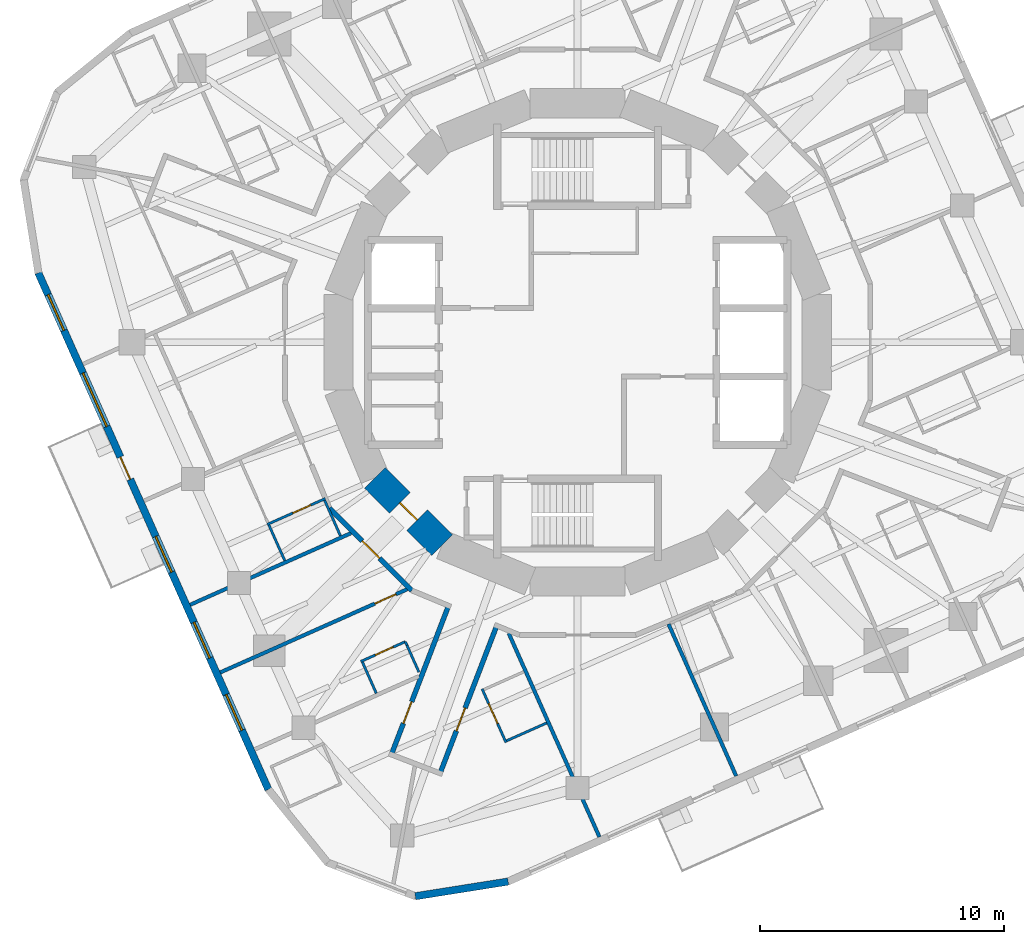
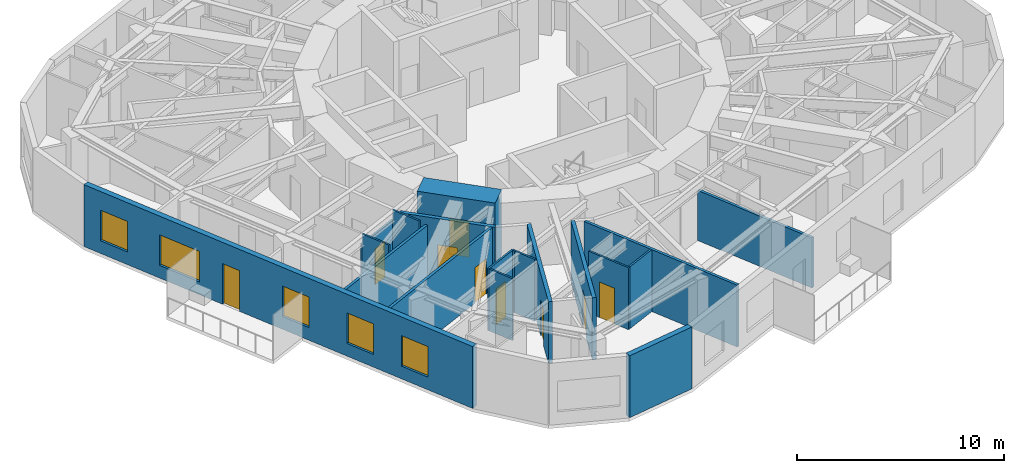
# One storey, part 4 of 12: 19 walls, 9 doors, 5 windows, 14 openings.
"""IFC4 building model written with IfcOpenShell, lengths in metres."""

from ifc_helpers import new_model, si_unit, direction, frame, frame_2d, origin, place, context, subcontext, project, spatial, rectangle, extrude, material, layer, layer_set, type_object, element, fill, save


model = new_model("IFC4")

# Units and contexts
model_context = context("Model", 3, precision=1e-05, world=origin(), true_north=direction((0.0, 1.0)))
body_context = subcontext(model_context, "Body", "Model", "MODEL_VIEW")
ifc_project = project(units=[si_unit("LENGTHUNIT", "METRE"), si_unit("AREAUNIT", "SQUARE_METRE"), si_unit("VOLUMEUNIT", "CUBIC_METRE"), si_unit("PLANEANGLEUNIT", "RADIAN"), si_unit("MASSUNIT", "GRAM", prefix="KILO")], contexts=[model_context])

# Site, building, storey
site_placement = place(None, origin())
site = spatial("IfcSite", under=ifc_project, at=site_placement, CompositionType="ELEMENT")
building_placement = place(site_placement, origin())
building = spatial("IfcBuilding", under=site, at=building_placement, Name="Nakasero Lantern House", CompositionType="ELEMENT")
storey_placement = place(building_placement, frame((0.0, 0.0, 213.25)))
storey = spatial("IfcBuildingStorey", under=building, at=storey_placement, Name="L52", CompositionType="ELEMENT", Elevation=213.25)

# Wall, opening, door
ifc_material_1 = material(Name="Concrete C50/60", Category="concrete")
ifc_layer_1 = layer(ifc_material_1, 1.199951171875)
ifc_layer_set_1 = layer_set([ifc_layer_1], Name="Core wall 1200")
wall_type_1 = type_object("IfcWallType", Name="Core wall 1200", PredefinedType="SHEAR", material=ifc_layer_set_1)
wall_1_placement = place(storey_placement, frame((-8.314697265625, -5.5556640625, 0.0), z_axis=(0.0, 0.0, 1.0), x_axis=(0.707106781187, -0.707106781187, 0.0)))
wall_1 = element("IfcWall", 1, at=wall_1_placement, inside=storey, type_object=wall_type_1, Name="Core wall L52 facet 10", PredefinedType="SHEAR", context=body_context, shape_type="SweptSolid", body=[
    extrude(rectangle(XDim=3.90185546875, YDim=1.199951171875, at=frame_2d((1.950927734375, 0.0))), origin(), (0.0, 0.0, 1.0), 3.85009765625),
])
opening_1_placement = place(wall_1_placement, frame((1.450927734375, 0.0, 0.0)))
opening_1 = element("IfcOpeningElement", 2, at=opening_1_placement, cuts=wall_1, Name="Opening D05", PredefinedType="OPENING", context=body_context, shape_type="SweptSolid", body=[
    extrude(rectangle(XDim=1.0, YDim=2.10009765625, at=frame_2d((0.5, 1.050048828125))), frame((0.0, 0.619873046875, 0.0), z_axis=(0.0, -1.0, 0.0), x_axis=(1.0, 0.0, 0.0)), (0.0, 0.0, 1.0), 1.239990234375),
])
ifc_material_2 = material(Name="Timber C24", Category="wood")
door_type_1 = type_object("IfcDoorType", Name="Core door FD60S 1000", OperationType="SINGLE_SWING_LEFT", PredefinedType="DOOR", material=ifc_material_2)
door_1_placement = place(opening_1_placement, origin())
door_1 = element("IfcDoor", 3, at=door_1_placement, inside=storey, type_object=door_type_1, Name="Door L52 D-CORE10", OperationType="SINGLE_SWING_LEFT", OverallHeight=2.10009765625, OverallWidth=1.0, PredefinedType="DOOR", context=body_context, shape_type="SweptSolid", body=[
    extrude(rectangle(XDim=1.0, YDim=2.10009765625, at=frame_2d((0.5, 1.050048828125))), frame((0.0, 0.02490234375, 0.0), z_axis=(0.0, -1.0, 0.0), x_axis=(1.0, 0.0, 0.0)), (0.0, 0.0, 1.0), 0.050048828125),
])
fill(opening_1, door_1)

ifc_material_3 = material(Name="Blockwork", Category="masonry")
ifc_layer_2 = layer(ifc_material_3, 0.199951171875)
ifc_layer_set_2 = layer_set([ifc_layer_2], Name="Corridor wall 200")
wall_type_2 = type_object("IfcWallType", Name="Corridor wall 200", PredefinedType="PARTITIONING", material=ifc_layer_set_2)
wall_2_placement = place(storey_placement, frame((-6.802001953125, -10.1796875, 0.0), z_axis=(0.0, 0.0, 1.0), x_axis=(-0.707106781187, 0.707106781187, 0.0)))
wall_2 = element("IfcWall", 4, at=wall_2_placement, inside=storey, type_object=wall_type_2, Name="Corridor wall L52 RC06a", PredefinedType="PARTITIONING", context=body_context, shape_type="SweptSolid", body=[
    extrude(rectangle(XDim=4.77685546875, YDim=0.199951171875, at=frame_2d((2.388427734375, 0.0))), origin(), (0.0, 0.0, 1.0), 3.64990234375),
])
opening_2_placement = place(wall_2_placement, frame((1.8701171875, 0.0, 0.0)))
opening_2 = element("IfcOpeningElement", 5, at=opening_2_placement, cuts=wall_2, Name="Opening D14", PredefinedType="OPENING", context=body_context, shape_type="SweptSolid", body=[
    extrude(rectangle(XDim=1.0, YDim=2.10009765625, at=frame_2d((0.5, 1.050048828125))), frame((0.0, 0.119873046875, 0.0), z_axis=(0.0, -1.0, 0.0), x_axis=(1.0, 0.0, 0.0)), (0.0, 0.0, 1.0), 0.239990234375),
])
ifc_material_4 = material(Name="Timber C24", Category="wood")
door_type_2 = type_object("IfcDoorType", Name="Cluster entrance door FD30S 1000", OperationType="SINGLE_SWING_LEFT", PredefinedType="DOOR", material=ifc_material_4)
door_2_placement = place(opening_2_placement, origin())
door_2 = element("IfcDoor", 6, at=door_2_placement, inside=storey, type_object=door_type_2, Name="Door L52 D2-04", OperationType="SINGLE_SWING_LEFT", OverallHeight=2.10009765625, OverallWidth=1.0, PredefinedType="DOOR", context=body_context, shape_type="SweptSolid", body=[
    extrude(rectangle(XDim=1.0, YDim=2.10009765625, at=frame_2d((0.5, 1.050048828125))), frame((0.0, 0.02490234375, 0.0), z_axis=(0.0, -1.0, 0.0), x_axis=(1.0, 0.0, 0.0)), (0.0, 0.0, 1.0), 0.050048828125),
])
fill(opening_2, door_2)

wall_3_placement = place(storey_placement, frame((-5.293701171875, -10.804443359375, 0.0), z_axis=(0.0, 0.0, 1.0), x_axis=(-0.358353547616, -0.933585954752, 0.0)))
wall_3 = element("IfcWall", 7, at=wall_3_placement, inside=storey, type_object=wall_type_2, Name="Corridor wall L52 SP2a", PredefinedType="PARTITIONING", context=body_context, shape_type="SweptSolid", body=[
    extrude(rectangle(XDim=6.643798828125, YDim=0.199951171875, at=frame_2d((3.32177734375, 0.0))), origin(), (0.0, 0.0, 1.0), 3.64990234375),
])
opening_3_placement = place(wall_3_placement, frame((4.219970703125, 0.0, 0.0)))
opening_3 = element("IfcOpeningElement", 8, at=opening_3_placement, cuts=wall_3, Name="Opening D01", PredefinedType="OPENING", context=body_context, shape_type="SweptSolid", body=[
    extrude(rectangle(XDim=0.949951171875, YDim=2.10009765625, at=frame_2d((0.47509765625, 1.050048828125))), frame((0.0, 0.119873046875, 0.0), z_axis=(0.0, -1.0, 0.0), x_axis=(1.0, 0.0, 0.0)), (0.0, 0.0, 1.0), 0.239990234375),
])
ifc_material_5 = material(Name="Timber C24", Category="wood")
door_type_3 = type_object("IfcDoorType", Name="Bedroom door FD30S 950", OperationType="SINGLE_SWING_LEFT", PredefinedType="DOOR", material=ifc_material_5)
door_3_placement = place(opening_3_placement, origin())
door_3 = element("IfcDoor", 9, at=door_3_placement, inside=storey, type_object=door_type_3, Name="Door L52 D2-06", OperationType="SINGLE_SWING_RIGHT", OverallHeight=2.10009765625, OverallWidth=0.949951171875, PredefinedType="DOOR", context=body_context, shape_type="SweptSolid", body=[
    extrude(rectangle(XDim=0.949951171875, YDim=2.10009765625, at=frame_2d((0.47509765625, 1.050048828125))), frame((0.0, 0.02490234375, 0.0), z_axis=(0.0, -1.0, 0.0), x_axis=(1.0, 0.0, 0.0)), (0.0, 0.0, 1.0), 0.050048828125),
])
fill(opening_3, door_3)

wall_4_placement = place(storey_placement, frame((-3.31591796875, -11.623779296875, 0.0), z_axis=(0.0, 0.0, 1.0), x_axis=(-0.358370568903, -0.933579421016, 0.0)))
wall_4 = element("IfcWall", 10, at=wall_4_placement, inside=storey, type_object=wall_type_2, Name="Corridor wall L52 SP2b", PredefinedType="PARTITIONING", context=body_context, shape_type="SweptSolid", body=[
    extrude(rectangle(XDim=6.587646484375, YDim=0.199951171875, at=frame_2d((3.2939453125, 0.0))), origin(), (0.0, 0.0, 1.0), 3.64990234375),
])
opening_4_placement = place(wall_4_placement, frame((3.6201171875, 0.0, 0.0)))
opening_4 = element("IfcOpeningElement", 11, at=opening_4_placement, cuts=wall_4, Name="Opening D07", PredefinedType="OPENING", context=body_context, shape_type="SweptSolid", body=[
    extrude(rectangle(XDim=1.0, YDim=2.10009765625, at=frame_2d((0.5, 1.050048828125))), frame((0.0, 0.119873046875, 0.0), z_axis=(0.0, -1.0, 0.0), x_axis=(1.0, 0.0, 0.0)), (0.0, 0.0, 1.0), 0.239990234375),
])
ifc_material_6 = material(Name="Timber C24", Category="wood")
door_type_4 = type_object("IfcDoorType", Name="Room door FD30S 1000", OperationType="SINGLE_SWING_LEFT", PredefinedType="DOOR", material=ifc_material_6)
door_4_placement = place(opening_4_placement, origin())
door_4 = element("IfcDoor", 12, at=door_4_placement, inside=storey, type_object=door_type_4, Name="Door L52 D3-00", OperationType="SINGLE_SWING_RIGHT", OverallHeight=2.10009765625, OverallWidth=1.0, PredefinedType="DOOR", context=body_context, shape_type="SweptSolid", body=[
    extrude(rectangle(XDim=1.0, YDim=2.10009765625, at=frame_2d((0.5, 1.050048828125))), frame((0.0, 0.02490234375, 0.0), z_axis=(0.0, -1.0, 0.0), x_axis=(1.0, 0.0, 0.0)), (0.0, 0.0, 1.0), 0.050048828125),
])
fill(opening_4, door_4)

ifc_material_7 = material(Name="Blockwork", Category="masonry")
ifc_layer_3 = layer(ifc_material_7, 0.10009765625)
ifc_layer_set_3 = layer_set([ifc_layer_3], Name="En-suite wall 100")
wall_type_3 = type_object("IfcWallType", Name="En-suite wall 100", PredefinedType="PARTITIONING", material=ifc_layer_set_3)
wall_5_placement = place(storey_placement, frame((-10.353515625, -6.4130859375, 0.0), z_axis=(0.0, 0.0, 1.0), x_axis=(-0.913567433554, -0.406687280781, 0.0)))
wall_5 = element("IfcWall", 13, at=wall_5_placement, inside=storey, type_object=wall_type_3, Name="En-suite wall L52 ES2-03", PredefinedType="PARTITIONING", context=body_context, shape_type="SweptSolid", body=[
    extrude(rectangle(XDim=2.599853515625, YDim=0.10009765625, at=frame_2d((1.2998046875, 0.0))), origin(), (0.0, 0.0, 1.0), 3.037841796875),
])
opening_5_placement = place(wall_5_placement, frame((0.64990234375, 0.0, 0.0)))
opening_5 = element("IfcOpeningElement", 14, at=opening_5_placement, cuts=wall_5, Name="Opening D02", PredefinedType="OPENING", context=body_context, shape_type="SweptSolid", body=[
    extrude(rectangle(XDim=0.800048828125, YDim=2.10009765625, at=frame_2d((0.39990234375, 1.050048828125))), frame((0.0, 0.070068359375, 0.0), z_axis=(0.0, -1.0, 0.0), x_axis=(1.0, 0.0, 0.0)), (0.0, 0.0, 1.0), 0.14013671875),
])
ifc_material_8 = material(Name="Timber C24", Category="wood")
door_type_5 = type_object("IfcDoorType", Name="En-suite door 800", OperationType="SINGLE_SWING_RIGHT", PredefinedType="DOOR", material=ifc_material_8)
door_5_placement = place(opening_5_placement, origin())
door_5 = element("IfcDoor", 15, at=door_5_placement, inside=storey, type_object=door_type_5, Name="Door L52 DE2-03", OperationType="SINGLE_SWING_LEFT", OverallHeight=2.10009765625, OverallWidth=0.800048828125, PredefinedType="DOOR", context=body_context, shape_type="SweptSolid", body=[
    extrude(rectangle(XDim=0.800048828125, YDim=2.10009765625, at=frame_2d((0.39990234375, 1.050048828125))), frame((0.0, 0.02490234375, 0.0), z_axis=(0.0, -1.0, 0.0), x_axis=(1.0, 0.0, 0.0)), (0.0, 0.0, 1.0), 0.050048828125),
])
fill(opening_5, door_5)

# Walls
for number, where, z_axis, x_axis, name in (
    (16, (-12.66259765625, -7.495849609375, 0.0), (0.0, 0.0, 1.0), (0.406662251972, -0.913578575067, 0.0), "En-suite wall L52 EE2-03"),
    (17, (-10.378662109375, -6.47900390625, 0.0), (0.0, 0.0, 1.0), (0.406662251972, -0.913578575067, 0.0), "En-suite wall L52 EI2-03"),
):
    element("IfcWall", number, at=place(storey_placement, frame(where, z_axis=z_axis, x_axis=x_axis)), inside=storey, type_object=wall_type_3, Name=name, PredefinedType="PARTITIONING", context=body_context, shape_type="SweptSolid", body=[
        extrude(rectangle(XDim=1.599853515625, YDim=0.10009765625, at=frame_2d((0.7998046875, 0.0))), origin(), (0.0, 0.0, 1.0), 3.64990234375),
    ])

# Wall, opening, door
wall_6_placement = place(storey_placement, frame((-7.0654296875, -12.280029296875, 0.0), z_axis=(0.0, 0.0, 1.0), x_axis=(-0.913529410294, -0.406772684097, 0.0)))
wall_6 = element("IfcWall", 18, at=wall_6_placement, inside=storey, type_object=wall_type_3, Name="En-suite wall L52 ES2-05", PredefinedType="PARTITIONING", context=body_context, shape_type="SweptSolid", body=[
    extrude(rectangle(XDim=1.999755859375, YDim=0.10009765625, at=frame_2d((1.0, 0.0))), origin(), (0.0, 0.0, 1.0), 3.64990234375),
])
opening_6_placement = place(wall_6_placement, frame((0.550048828125, 0.0, 0.0)))
opening_6 = element("IfcOpeningElement", 19, at=opening_6_placement, cuts=wall_6, Name="Opening D02", PredefinedType="OPENING", context=body_context, shape_type="SweptSolid", body=[
    extrude(rectangle(XDim=0.800048828125, YDim=2.10009765625, at=frame_2d((0.39990234375, 1.050048828125))), frame((0.0, 0.070068359375, 0.0), z_axis=(0.0, -1.0, 0.0), x_axis=(1.0, 0.0, 0.0)), (0.0, 0.0, 1.0), 0.14013671875),
])
door_6_placement = place(opening_6_placement, origin())
door_6 = element("IfcDoor", 20, at=door_6_placement, inside=storey, type_object=door_type_5, Name="Door L52 DE2-05", OperationType="SINGLE_SWING_LEFT", OverallHeight=2.10009765625, OverallWidth=0.800048828125, PredefinedType="DOOR", context=body_context, shape_type="SweptSolid", body=[
    extrude(rectangle(XDim=0.800048828125, YDim=2.10009765625, at=frame_2d((0.39990234375, 1.050048828125))), frame((0.0, 0.02490234375, 0.0), z_axis=(0.0, -1.0, 0.0), x_axis=(1.0, 0.0, 0.0)), (0.0, 0.0, 1.0), 0.050048828125),
])
fill(opening_6, door_6)

# Wall
wall_7_placement = place(storey_placement, frame((-8.826416015625, -13.118896484375, 0.0), z_axis=(0.0, 0.0, 1.0), x_axis=(0.406656150203, -0.91358129113, 0.0)))
element("IfcWall", 21, at=wall_7_placement, inside=storey, type_object=wall_type_3, Name="En-suite wall L52 EE2-05", PredefinedType="PARTITIONING", context=body_context, shape_type="SweptSolid", body=[
    extrude(rectangle(XDim=1.400146484375, YDim=0.10009765625, at=frame_2d((0.7001953125, 0.0))), origin(), (0.0, 0.0, 1.0), 3.64990234375),
])

# Wall, opening, door
wall_8_placement = place(storey_placement, frame((-3.914306640625, -14.2216796875, 0.0), z_axis=(0.0, 0.0, 1.0), x_axis=(0.406723602621, -0.913551263516, 0.0)))
wall_8 = element("IfcWall", 22, at=wall_8_placement, inside=storey, type_object=wall_type_3, Name="En-suite wall L52 ES3-00", PredefinedType="PARTITIONING", context=body_context, shape_type="SweptSolid", body=[
    extrude(rectangle(XDim=2.39990234375, YDim=0.10009765625, at=frame_2d((1.199951171875, 0.0))), origin(), (0.0, 0.0, 1.0), 3.64990234375),
])
opening_7_placement = place(wall_8_placement, frame((0.64990234375, 0.0, 0.0)))
opening_7 = element("IfcOpeningElement", 23, at=opening_7_placement, cuts=wall_8, Name="Opening D16", PredefinedType="OPENING", context=body_context, shape_type="SweptSolid", body=[
    extrude(rectangle(XDim=0.89990234375, YDim=2.10009765625, at=frame_2d((0.449951171875, 1.050048828125))), frame((0.0, 0.070068359375, 0.0), z_axis=(0.0, -1.0, 0.0), x_axis=(1.0, 0.0, 0.0)), (0.0, 0.0, 1.0), 0.14013671875),
])
ifc_material_9 = material(Name="Timber C24", Category="wood")
door_type_6 = type_object("IfcDoorType", Name="Accessible WC door 900", OperationType="SINGLE_SWING_RIGHT", PredefinedType="DOOR", material=ifc_material_9)
door_7_placement = place(opening_7_placement, origin())
door_7 = element("IfcDoor", 24, at=door_7_placement, inside=storey, type_object=door_type_6, Name="Door L52 DE3-00", OperationType="SINGLE_SWING_LEFT", OverallHeight=2.10009765625, OverallWidth=0.89990234375, PredefinedType="DOOR", context=body_context, shape_type="SweptSolid", body=[
    extrude(rectangle(XDim=0.89990234375, YDim=2.10009765625, at=frame_2d((0.449951171875, 1.050048828125))), frame((0.0, 0.02490234375, 0.0), z_axis=(0.0, -1.0, 0.0), x_axis=(1.0, 0.0, 0.0)), (0.0, 0.0, 1.0), 0.050048828125),
])
fill(opening_7, door_7)

# Walls
wall_9_placement = place(storey_placement, frame((-2.912841796875, -16.34814453125, 0.0), z_axis=(0.0, 0.0, 1.0), x_axis=(0.913548502595, 0.406729803932, 0.0)))
element("IfcWall", 25, at=wall_9_placement, inside=storey, type_object=wall_type_3, Name="En-suite wall L52 EE3-00", PredefinedType="PARTITIONING", context=body_context, shape_type="SweptSolid", body=[
    extrude(rectangle(XDim=1.800048828125, YDim=0.10009765625, at=frame_2d((0.89990234375, 0.0))), origin(), (0.0, 0.0, 1.0), 3.64990234375),
])
wall_10_placement = place(storey_placement, frame((-6.510009765625, -13.527099609375, 0.0), z_axis=(0.0, 0.0, 1.0), x_axis=(-0.406815070933, 0.913510535277, 0.0)))
element("IfcWall", 26, at=wall_10_placement, inside=storey, type_object=wall_type_3, Name="En-suite wall L52 EX002", PredefinedType="PARTITIONING", context=body_context, shape_type="SweptSolid", body=[
    extrude(rectangle(XDim=1.205078125, YDim=0.10009765625, at=frame_2d((0.6025390625, 0.0))), origin(), (0.0, 0.0, 1.0), 3.64990234375),
])
wall_11_placement = place(storey_placement, frame((-7.0654296875, -12.280029296875, 0.0), z_axis=(0.0, 0.0, 1.0), x_axis=(0.407128578538, -0.913370855971, 0.0)))
element("IfcWall", 27, at=wall_11_placement, inside=storey, type_object=wall_type_3, Name="En-suite wall L52 ES2-05R0", PredefinedType="PARTITIONING", context=body_context, shape_type="SweptSolid", body=[
    extrude(rectangle(XDim=0.16015625, YDim=0.10009765625, at=frame_2d((0.080078125, 0.0))), origin(), (0.0, 0.0, 1.0), 3.64990234375),
])

# Wall, openings, door, windows
ifc_material_10 = material(Name="Aluminium rainscreen on blockwork", Category="masonry")
ifc_layer_4 = layer(ifc_material_10, 0.300048828125)
ifc_layer_set_4 = layer_set([ifc_layer_4], Name="Facade wall 300")
wall_type_4 = type_object("IfcWallType", Name="Facade wall 300", PredefinedType="SOLIDWALL", material=ifc_layer_set_4)
wall_12_placement = place(storey_placement, frame((-22.12109375, 2.848876953125, 0.0), z_axis=(0.0, 0.0, 1.0), x_axis=(0.406734951338, -0.913546210851, 0.0)))
wall_12 = element("IfcWall", 28, at=wall_12_placement, inside=storey, type_object=wall_type_4, Name="Facade wall L52 FW2S", PredefinedType="SOLIDWALL", context=body_context, shape_type="SweptSolid", body=[
    extrude(rectangle(XDim=23.199951171875, YDim=0.300048828125, at=frame_2d((11.60009765625, 0.0))), origin(), (0.0, 0.0, 1.0), 3.64990234375),
])
opening_8_placement = place(wall_12_placement, frame((0.982421875, 0.0, 0.75)))
opening_8 = element("IfcOpeningElement", 29, at=opening_8_placement, cuts=wall_12, Name="Opening W01", PredefinedType="OPENING", context=body_context, shape_type="SweptSolid", body=[
    extrude(rectangle(XDim=1.60009765625, YDim=1.800048828125, at=frame_2d((0.800048828125, 0.89990234375))), frame((0.0, 0.169921875, 0.0), z_axis=(0.0, -1.0, 0.0), x_axis=(1.0, 0.0, 0.0)), (0.0, 0.0, 1.0), 0.340087890625),
])
opening_9_placement = place(wall_12_placement, frame((11.83984375, 0.0, 0.75)))
opening_9 = element("IfcOpeningElement", 30, at=opening_9_placement, cuts=wall_12, Name="Opening W01", PredefinedType="OPENING", context=body_context, shape_type="SweptSolid", body=[
    extrude(rectangle(XDim=1.60009765625, YDim=1.800048828125, at=frame_2d((0.800048828125, 0.89990234375))), frame((0.0, 0.169921875, 0.0), z_axis=(0.0, -1.0, 0.0), x_axis=(1.0, 0.0, 0.0)), (0.0, 0.0, 1.0), 0.340087890625),
])
opening_10_placement = place(wall_12_placement, frame((15.69140625, 0.0, 0.75)))
opening_10 = element("IfcOpeningElement", 31, at=opening_10_placement, cuts=wall_12, Name="Opening W01", PredefinedType="OPENING", context=body_context, shape_type="SweptSolid", body=[
    extrude(rectangle(XDim=1.60009765625, YDim=1.800048828125, at=frame_2d((0.800048828125, 0.89990234375))), frame((0.0, 0.169921875, 0.0), z_axis=(0.0, -1.0, 0.0), x_axis=(1.0, 0.0, 0.0)), (0.0, 0.0, 1.0), 0.340087890625),
])
opening_11_placement = place(wall_12_placement, frame((18.940185546875, 0.0, 0.75)))
opening_11 = element("IfcOpeningElement", 32, at=opening_11_placement, cuts=wall_12, Name="Opening W01", PredefinedType="OPENING", context=body_context, shape_type="SweptSolid", body=[
    extrude(rectangle(XDim=1.60009765625, YDim=1.800048828125, at=frame_2d((0.800048828125, 0.89990234375))), frame((0.0, 0.169921875, 0.0), z_axis=(0.0, -1.0, 0.0), x_axis=(1.0, 0.0, 0.0)), (0.0, 0.0, 1.0), 0.340087890625),
])
opening_12_placement = place(wall_12_placement, frame((4.500244140625, 0.0, 0.75)))
opening_12 = element("IfcOpeningElement", 33, at=opening_12_placement, cuts=wall_12, Name="Opening W03", PredefinedType="OPENING", context=body_context, shape_type="SweptSolid", body=[
    extrude(rectangle(XDim=2.39990234375, YDim=1.800048828125, at=frame_2d((1.199951171875, 0.89990234375))), frame((0.0, 0.169921875, 0.0), z_axis=(0.0, -1.0, 0.0), x_axis=(1.0, 0.0, 0.0)), (0.0, 0.0, 1.0), 0.340087890625),
])
opening_13_placement = place(wall_12_placement, frame((8.271484375, 0.0, 0.0)))
opening_13 = element("IfcOpeningElement", 34, at=opening_13_placement, cuts=wall_12, Name="Opening D04", PredefinedType="OPENING", context=body_context, shape_type="SweptSolid", body=[
    extrude(rectangle(XDim=1.0, YDim=2.39990234375, at=frame_2d((0.5, 1.199951171875))), frame((0.0, 0.169921875, 0.0), z_axis=(0.0, -1.0, 0.0), x_axis=(1.0, 0.0, 0.0)), (0.0, 0.0, 1.0), 0.340087890625),
])
ifc_material_11 = material(Name="Aluminium 6063-T6 and glass", Category="aluminium")
door_type_7 = type_object("IfcDoorType", Name="Balcony door 1000x2400", OperationType="SINGLE_SWING_RIGHT", PredefinedType="DOOR", material=ifc_material_11)
door_8_placement = place(opening_13_placement, origin())
door_8 = element("IfcDoor", 35, at=door_8_placement, inside=storey, type_object=door_type_7, Name="Balcony door L52 DB2", OperationType="SINGLE_SWING_RIGHT", OverallHeight=2.39990234375, OverallWidth=1.0, PredefinedType="DOOR", context=body_context, shape_type="SweptSolid", body=[
    extrude(rectangle(XDim=1.0, YDim=2.39990234375, at=frame_2d((0.5, 1.199951171875))), frame((0.0, 0.02490234375, 0.0), z_axis=(0.0, -1.0, 0.0), x_axis=(1.0, 0.0, 0.0)), (0.0, 0.0, 1.0), 0.050048828125),
])
fill(opening_13, door_8)
ifc_material_12 = material(Name="Aluminium 6063-T6 and glass", Category="aluminium")
window_type_1 = type_object("IfcWindowType", Name="Bedroom window 1600x1800", PartitioningType="SINGLE_PANEL", PredefinedType="WINDOW", material=ifc_material_12)
window_1_placement = place(opening_8_placement, origin())
window_1 = element("IfcWindow", 36, at=window_1_placement, inside=storey, type_object=window_type_1, Name="Window L52 WN2-00", OverallHeight=1.800048828125, OverallWidth=1.60009765625, PartitioningType="SINGLE_PANEL", PredefinedType="WINDOW", context=body_context, shape_type="SweptSolid", body=[
    extrude(rectangle(XDim=1.60009765625, YDim=1.800048828125, at=frame_2d((0.800048828125, 0.89990234375))), frame((0.0, 0.030029296875, 0.0), z_axis=(0.0, -1.0, 0.0), x_axis=(1.0, 0.0, 0.0)), (0.0, 0.0, 1.0), 0.06005859375),
])
fill(opening_8, window_1)
window_2_placement = place(opening_9_placement, origin())
window_2 = element("IfcWindow", 37, at=window_2_placement, inside=storey, type_object=window_type_1, Name="Window L52 WN2-03", OverallHeight=1.800048828125, OverallWidth=1.60009765625, PartitioningType="SINGLE_PANEL", PredefinedType="WINDOW", context=body_context, shape_type="SweptSolid", body=[
    extrude(rectangle(XDim=1.60009765625, YDim=1.800048828125, at=frame_2d((0.800048828125, 0.89990234375))), frame((0.0, 0.030029296875, 0.0), z_axis=(0.0, -1.0, 0.0), x_axis=(1.0, 0.0, 0.0)), (0.0, 0.0, 1.0), 0.06005859375),
])
fill(opening_9, window_2)
window_3_placement = place(opening_10_placement, origin())
window_3 = element("IfcWindow", 38, at=window_3_placement, inside=storey, type_object=window_type_1, Name="Window L52 WN2-04", OverallHeight=1.800048828125, OverallWidth=1.60009765625, PartitioningType="SINGLE_PANEL", PredefinedType="WINDOW", context=body_context, shape_type="SweptSolid", body=[
    extrude(rectangle(XDim=1.60009765625, YDim=1.800048828125, at=frame_2d((0.800048828125, 0.89990234375))), frame((0.0, 0.030029296875, 0.0), z_axis=(0.0, -1.0, 0.0), x_axis=(1.0, 0.0, 0.0)), (0.0, 0.0, 1.0), 0.06005859375),
])
fill(opening_10, window_3)
window_4_placement = place(opening_11_placement, origin())
window_4 = element("IfcWindow", 39, at=window_4_placement, inside=storey, type_object=window_type_1, Name="Window L52 WN2-05", OverallHeight=1.800048828125, OverallWidth=1.60009765625, PartitioningType="SINGLE_PANEL", PredefinedType="WINDOW", context=body_context, shape_type="SweptSolid", body=[
    extrude(rectangle(XDim=1.60009765625, YDim=1.800048828125, at=frame_2d((0.800048828125, 0.89990234375))), frame((0.0, 0.030029296875, 0.0), z_axis=(0.0, -1.0, 0.0), x_axis=(1.0, 0.0, 0.0)), (0.0, 0.0, 1.0), 0.06005859375),
])
fill(opening_11, window_4)
ifc_material_13 = material(Name="Aluminium 6063-T6 and glass", Category="aluminium")
window_type_2 = type_object("IfcWindowType", Name="Lounge window 2400x1800", PartitioningType="SINGLE_PANEL", PredefinedType="WINDOW", material=ifc_material_13)
window_5_placement = place(opening_12_placement, origin())
window_5 = element("IfcWindow", 40, at=window_5_placement, inside=storey, type_object=window_type_2, Name="Window L52 WK2", OverallHeight=1.800048828125, OverallWidth=2.39990234375, PartitioningType="SINGLE_PANEL", PredefinedType="WINDOW", context=body_context, shape_type="SweptSolid", body=[
    extrude(rectangle(XDim=2.39990234375, YDim=1.800048828125, at=frame_2d((1.199951171875, 0.89990234375))), frame((0.0, 0.030029296875, 0.0), z_axis=(0.0, -1.0, 0.0), x_axis=(1.0, 0.0, 0.0)), (0.0, 0.0, 1.0), 0.06005859375),
])
fill(opening_12, window_5)

# Walls
wall_13_placement = place(storey_placement, frame((-6.65771484375, -22.724365234375, 0.0), z_axis=(0.0, 0.0, 1.0), x_axis=(0.987687906802, 0.156437203878, 0.0)))
element("IfcWall", 41, at=wall_13_placement, inside=storey, type_object=wall_type_4, Name="Facade wall L52 FW2C3", PredefinedType="SOLIDWALL", context=body_context, shape_type="SweptSolid", body=[
    extrude(rectangle(XDim=3.856201171875, YDim=0.300048828125, at=frame_2d((1.92822265625, 0.0))), origin(), (0.0, 0.0, 1.0), 3.64990234375),
])
ifc_material_14 = material(Name="Blockwork", Category="masonry")
ifc_layer_5 = layer(ifc_material_14, 0.14990234375)
ifc_layer_set_5 = layer_set([ifc_layer_5], Name="Party wall 150")
wall_type_5 = type_object("IfcWallType", Name="Party wall 150", PredefinedType="PARTITIONING", material=ifc_layer_set_5)
wall_14_placement = place(storey_placement, frame((-9.293701171875, -7.829345703125, 0.0), z_axis=(0.0, 0.0, 1.0), x_axis=(-0.913535447493, -0.406759125496, 0.0)))
element("IfcWall", 42, at=wall_14_placement, inside=storey, type_object=wall_type_5, Name="Party wall L52 PW2-04", PredefinedType="PARTITIONING", context=body_context, shape_type="SweptSolid", body=[
    extrude(rectangle(XDim=7.225341796875, YDim=0.14990234375, at=frame_2d((3.61279296875, 0.0))), origin(), (0.0, 0.0, 1.0), 3.196533203125),
])

# Wall, opening, door
wall_15_placement = place(storey_placement, frame((-6.99267578125, -10.130615234375, 0.0), z_axis=(0.0, 0.0, 1.0), x_axis=(-0.913547411288, -0.406732255089, 0.0)))
wall_15 = element("IfcWall", 43, at=wall_15_placement, inside=storey, type_object=wall_type_5, Name="Party wall L52 PW2-05", PredefinedType="PARTITIONING", context=body_context, shape_type="SweptSolid", body=[
    extrude(rectangle(XDim=8.3916015625, YDim=0.14990234375, at=frame_2d((4.19580078125, 0.0))), origin(), (0.0, 0.0, 1.0), 3.64990234375),
])
opening_14_placement = place(wall_15_placement, frame((0.5, 0.0, 0.0)))
opening_14 = element("IfcOpeningElement", 44, at=opening_14_placement, cuts=wall_15, Name="Opening D01", PredefinedType="OPENING", context=body_context, shape_type="SweptSolid", body=[
    extrude(rectangle(XDim=0.949951171875, YDim=2.10009765625, at=frame_2d((0.47509765625, 1.050048828125))), frame((0.0, 0.094970703125, 0.0), z_axis=(0.0, -1.0, 0.0), x_axis=(1.0, 0.0, 0.0)), (0.0, 0.0, 1.0), 0.18994140625),
])
door_9_placement = place(opening_14_placement, origin())
door_9 = element("IfcDoor", 45, at=door_9_placement, inside=storey, type_object=door_type_3, Name="Door L52 DS2-05", OperationType="SINGLE_SWING_LEFT", OverallHeight=2.10009765625, OverallWidth=0.949951171875, PredefinedType="DOOR", context=body_context, shape_type="SweptSolid", body=[
    extrude(rectangle(XDim=0.949951171875, YDim=2.10009765625, at=frame_2d((0.47509765625, 1.050048828125))), frame((0.0, 0.02490234375, 0.0), z_axis=(0.0, -1.0, 0.0), x_axis=(1.0, 0.0, 0.0)), (0.0, 0.0, 1.0), 0.050048828125),
])
fill(opening_14, door_9)

# Walls
wall_16_placement = place(storey_placement, frame((-2.824951171875, -11.935302734375, 0.0), z_axis=(0.0, 0.0, 1.0), x_axis=(0.40672291788, -0.91355156837, 0.0)))
element("IfcWall", 46, at=wall_16_placement, inside=storey, type_object=wall_type_5, Name="Party wall L52 PW3-01", PredefinedType="PARTITIONING", context=body_context, shape_type="SweptSolid", body=[
    extrude(rectangle(XDim=9.1455078125, YDim=0.14990234375, at=frame_2d((4.57275390625, 0.0))), origin(), (0.0, 0.0, 1.0), 3.64990234375),
])
wall_17_placement = place(storey_placement, frame((3.7314453125, -11.559814453125, 0.0), z_axis=(0.0, 0.0, 1.0), x_axis=(0.406739408224, -0.913544226514, 0.0)))
element("IfcWall", 47, at=wall_17_placement, inside=storey, type_object=wall_type_5, Name="Party wall L52 PW3-03", PredefinedType="PARTITIONING", context=body_context, shape_type="SweptSolid", body=[
    extrude(rectangle(XDim=6.82177734375, YDim=0.14990234375, at=frame_2d((3.410888671875, 0.0))), origin(), (0.0, 0.0, 1.0), 2.95703125),
])

save(model, "model.ifc")
